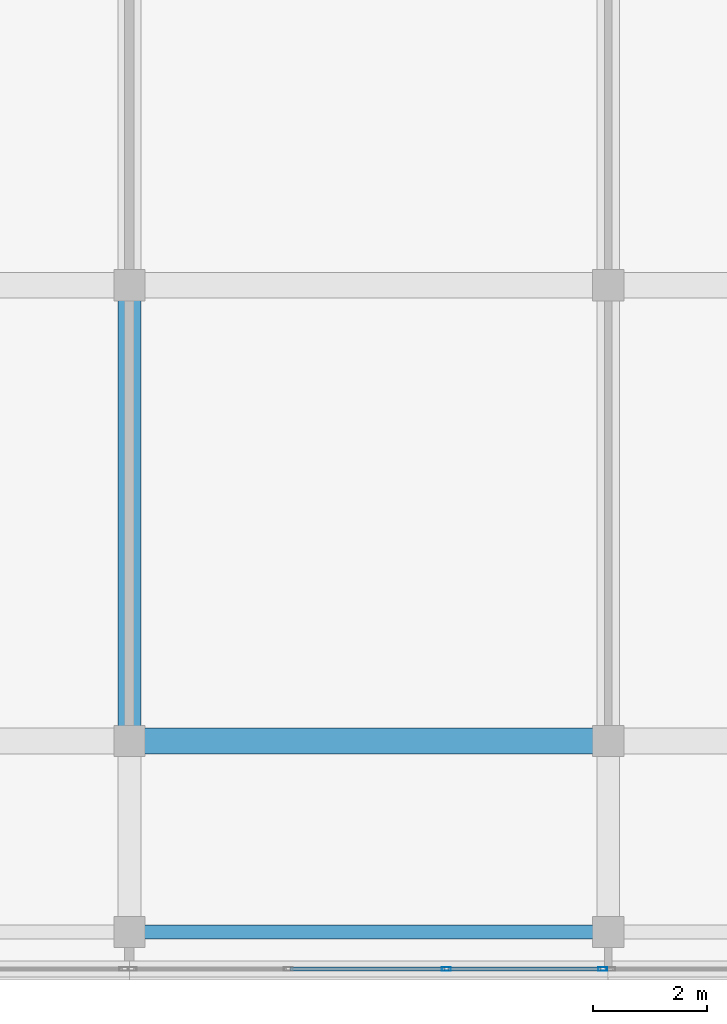
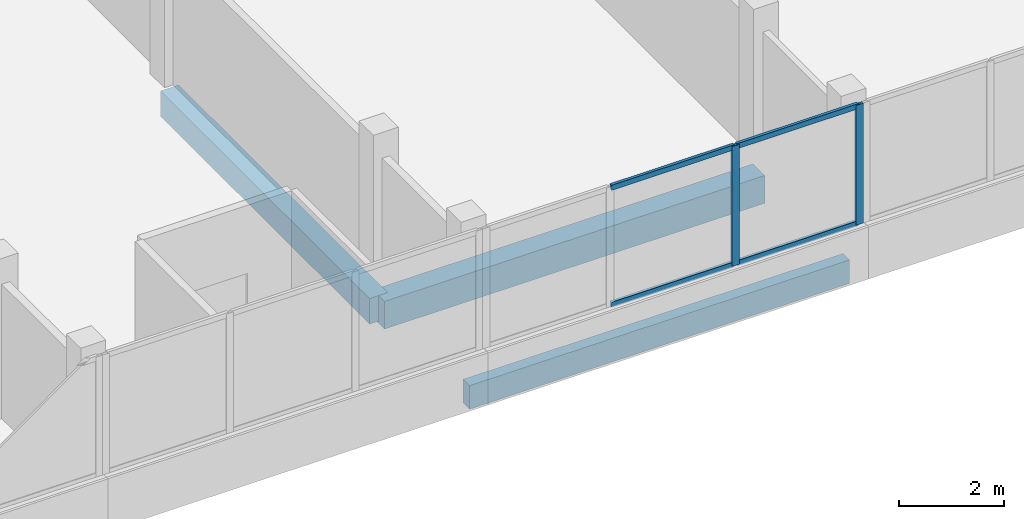
# One storey, part 29 of 67: 6 members, 3 beams, 1 element without a shape of its own.
"""IFC4 building model written with IfcOpenShell, lengths in metres."""

from ifc_helpers import new_model, si_unit, direction, frame, origin, origin_2d, place, context, subcontext, project, spatial, rectangle, hollow_rectangle, extrude, material, material_profile, profile_set, type_object, element, aggregate, save


model = new_model("IFC4")

# Units and contexts
model_context = context("Model", 3, precision=1e-05, world=origin(), true_north=direction((0.0, 1.0)))
body_context = subcontext(model_context, "Body", "Model", "MODEL_VIEW")
ifc_project = project(units=[si_unit("LENGTHUNIT", "METRE"), si_unit("AREAUNIT", "SQUARE_METRE"), si_unit("VOLUMEUNIT", "CUBIC_METRE"), si_unit("PLANEANGLEUNIT", "RADIAN"), si_unit("MASSUNIT", "GRAM", prefix="KILO")], contexts=[model_context])

# Site, building, storey
site_placement = place(None, origin())
site = spatial("IfcSite", under=ifc_project, at=site_placement, CompositionType="ELEMENT")
building_placement = place(site_placement, origin())
building = spatial("IfcBuilding", under=site, at=building_placement, Name="Selatvlak General Hospital", CompositionType="ELEMENT")
storey_placement = place(building_placement, frame((0.0, 0.0, 35.39990234375)))
storey = spatial("IfcBuildingStorey", under=building, at=storey_placement, Name="L08", CompositionType="ELEMENT", Elevation=35.39990234375)

# Beams
ifc_material_1 = material(Name="Concrete C40/50", Category="concrete")
ifc_material_profile_1 = material_profile(ifc_material_1, rectangle(XDim=0.449951171875, YDim=0.64990234375, at=origin_2d()), Name="RC-BM 450x650")
ifc_profile_set_1 = profile_set([ifc_material_profile_1], Name="Concrete C40/50")
beam_type_1 = type_object("IfcBeamType", Name="BM-G04", PredefinedType="BEAM", material=ifc_profile_set_1)
beam_1_placement = place(storey_placement, frame((98.39990234375, 92.0, -0.58984375), z_axis=(1.0, 0.0, 0.0), x_axis=(0.0, 1.0, 0.0)))
element("IfcBeam", 1, at=beam_1_placement, inside=storey, type_object=beam_type_1, Name="Beam BMR-L08-2577", PredefinedType="BEAM", context=body_context, shape_type="SweptSolid", body=[
    extrude(rectangle(XDim=0.449951171875, YDim=0.64990234375, at=origin_2d()), origin(), (0.0, 0.0, 1.0), 8.400146484375),
])
ifc_material_profile_2 = material_profile(ifc_material_1, rectangle(XDim=0.39990234375, YDim=0.60009765625, at=origin_2d()), Name="RC-BM 400x600")
ifc_profile_set_2 = profile_set([ifc_material_profile_2], Name="Concrete C40/50")
beam_type_2 = type_object("IfcBeamType", Name="BM-G05", PredefinedType="BEAM", material=ifc_profile_set_2)
beam_2_placement = place(storey_placement, frame((98.39990234375, 92.0, -0.56494140625), z_axis=(0.0, 1.0, 0.0), x_axis=(-1.0, 0.0, 0.0)))
element("IfcBeam", 2, at=beam_2_placement, inside=storey, type_object=beam_type_2, Name="Beam BMR-L08-2679", PredefinedType="BEAM", context=body_context, shape_type="SweptSolid", body=[
    extrude(rectangle(XDim=0.39990234375, YDim=0.60009765625, at=origin_2d()), origin(), (0.0, 0.0, 1.0), 8.0),
])
ifc_material_profile_3 = material_profile(ifc_material_1, rectangle(XDim=0.25, YDim=0.550048828125, at=origin_2d()), Name="RC-SP 250x550")
ifc_profile_set_3 = profile_set([ifc_material_profile_3], Name="Concrete C40/50")
beam_type_3 = type_object("IfcBeamType", Name="BM-SP2", PredefinedType="SPANDREL", material=ifc_profile_set_3)
beam_3_placement = place(storey_placement, frame((98.39990234375, 88.64990234375, -0.539794921875), z_axis=(1.0, 0.0, 0.0), x_axis=(0.0, 1.0, 0.0)))
element("IfcBeam", 3, at=beam_3_placement, inside=storey, type_object=beam_type_3, Name="Beam BMR-L08-2560", PredefinedType="SPANDREL", context=body_context, shape_type="SweptSolid", body=[
    extrude(rectangle(XDim=0.25, YDim=0.550048828125, at=origin_2d()), origin(), (0.0, 0.0, 1.0), 8.400146484375),
])

# Curtain wall, members
ifc_material_2 = material(Name="Solar-control Low-E double glazing", Category="glass")
curtain_wall_type = type_object("IfcCurtainWallType", Name="CW-CW-02", PredefinedType="USERDEFINED", material=ifc_material_2)
curtain_wall_placement = place(storey_placement, origin())
curtain_wall = element("IfcCurtainWall", 4, at=curtain_wall_placement, inside=storey, type_object=curtain_wall_type, Name="Glazed facade curtain wall CW-L08-0707", ObjectType="UNITISED CURTAIN WALL", PredefinedType="USERDEFINED")
ifc_material_3 = material(Name="Dark anodised aluminium mullion", Category="aluminium")
ifc_material_profile_4 = material_profile(ifc_material_3, hollow_rectangle(XDim=0.06494140625, YDim=0.159912109375, WallThickness=0.00390625, at=origin_2d()), Name="AL-MUL 65x160x4")
ifc_profile_set_4 = profile_set([ifc_material_profile_4], Name="Dark anodised aluminium mullion")
member_type_1 = type_object("IfcMemberType", Name="CWM-01", PredefinedType="MULLION", material=ifc_profile_set_4)
member_1_placement = place(storey_placement, frame((106.702392578125, 88.0009765625, 0.940185546875), z_axis=(0.0, 0.0, 1.0), x_axis=(0.0, -1.0, 0.0)))
member_1 = element("IfcMember", 5, at=member_1_placement, type_object=member_type_1, Name="CW-02 mullion 1", PredefinedType="MULLION", context=body_context, shape_type="SweptSolid", body=[
    extrude(hollow_rectangle(XDim=0.06494140625, YDim=0.159912109375, WallThickness=0.00390625, at=origin_2d()), origin(), (0.0, 0.0, 1.0), 2.7998046875),
])
member_2_placement = place(storey_placement, frame((103.961669921875, 88.0009765625, 0.940185546875), z_axis=(0.0, 0.0, 1.0), x_axis=(0.0, -1.0, 0.0)))
member_2 = element("IfcMember", 6, at=member_2_placement, type_object=member_type_1, Name="CW-02 mullion 2", PredefinedType="MULLION", context=body_context, shape_type="SweptSolid", body=[
    extrude(hollow_rectangle(XDim=0.06494140625, YDim=0.159912109375, WallThickness=0.00390625, at=origin_2d()), origin(), (0.0, 0.0, 1.0), 2.7998046875),
])
ifc_material_profile_5 = material_profile(ifc_material_3, hollow_rectangle(XDim=0.06494140625, YDim=0.1201171875, WallThickness=0.00390625, at=origin_2d()), Name="AL-TRN 65x120x4")
ifc_profile_set_5 = profile_set([ifc_material_profile_5], Name="Dark anodised aluminium mullion")
member_type_2 = type_object("IfcMemberType", Name="CWT-01", PredefinedType="USERDEFINED", material=ifc_profile_set_5)
member_3_placement = place(storey_placement, frame((106.669921875, 88.0009765625, 0.97265625), z_axis=(-1.0, 0.0, 0.0), x_axis=(0.0, -1.0, 0.0)))
member_3 = element("IfcMember", 7, at=member_3_placement, type_object=member_type_2, Name="CW-02 transom 1.1", ObjectType="TRANSOM", PredefinedType="USERDEFINED", context=body_context, shape_type="SweptSolid", body=[
    extrude(hollow_rectangle(XDim=0.06494140625, YDim=0.1201171875, WallThickness=0.00390625, at=origin_2d()), origin(), (0.0, 0.0, 1.0), 2.67578125),
])
member_4_placement = place(storey_placement, frame((106.669921875, 88.0009765625, 3.70751953125), z_axis=(-1.0, 0.0, 0.0), x_axis=(0.0, -1.0, 0.0)))
member_4 = element("IfcMember", 8, at=member_4_placement, type_object=member_type_2, Name="CW-02 transom 1.2", ObjectType="TRANSOM", PredefinedType="USERDEFINED", context=body_context, shape_type="SweptSolid", body=[
    extrude(hollow_rectangle(XDim=0.06494140625, YDim=0.1201171875, WallThickness=0.00390625, at=origin_2d()), origin(), (0.0, 0.0, 1.0), 2.67578125),
])
member_5_placement = place(storey_placement, frame((103.92919921875, 88.0009765625, 0.97265625), z_axis=(-1.0, 0.0, 0.0), x_axis=(0.0, -1.0, 0.0)))
member_5 = element("IfcMember", 9, at=member_5_placement, type_object=member_type_2, Name="CW-02 transom 2.1", ObjectType="TRANSOM", PredefinedType="USERDEFINED", context=body_context, shape_type="SweptSolid", body=[
    extrude(hollow_rectangle(XDim=0.06494140625, YDim=0.1201171875, WallThickness=0.00390625, at=origin_2d()), origin(), (0.0, 0.0, 1.0), 2.708251953125),
])
member_6_placement = place(storey_placement, frame((103.92919921875, 88.0009765625, 3.70751953125), z_axis=(-1.0, 0.0, 0.0), x_axis=(0.0, -1.0, 0.0)))
member_6 = element("IfcMember", 10, at=member_6_placement, type_object=member_type_2, Name="CW-02 transom 2.2", ObjectType="TRANSOM", PredefinedType="USERDEFINED", context=body_context, shape_type="SweptSolid", body=[
    extrude(hollow_rectangle(XDim=0.06494140625, YDim=0.1201171875, WallThickness=0.00390625, at=origin_2d()), origin(), (0.0, 0.0, 1.0), 2.708251953125),
])
aggregate(curtain_wall, [member_1, member_2, member_3, member_4, member_5, member_6])

save(model, "model.ifc")
